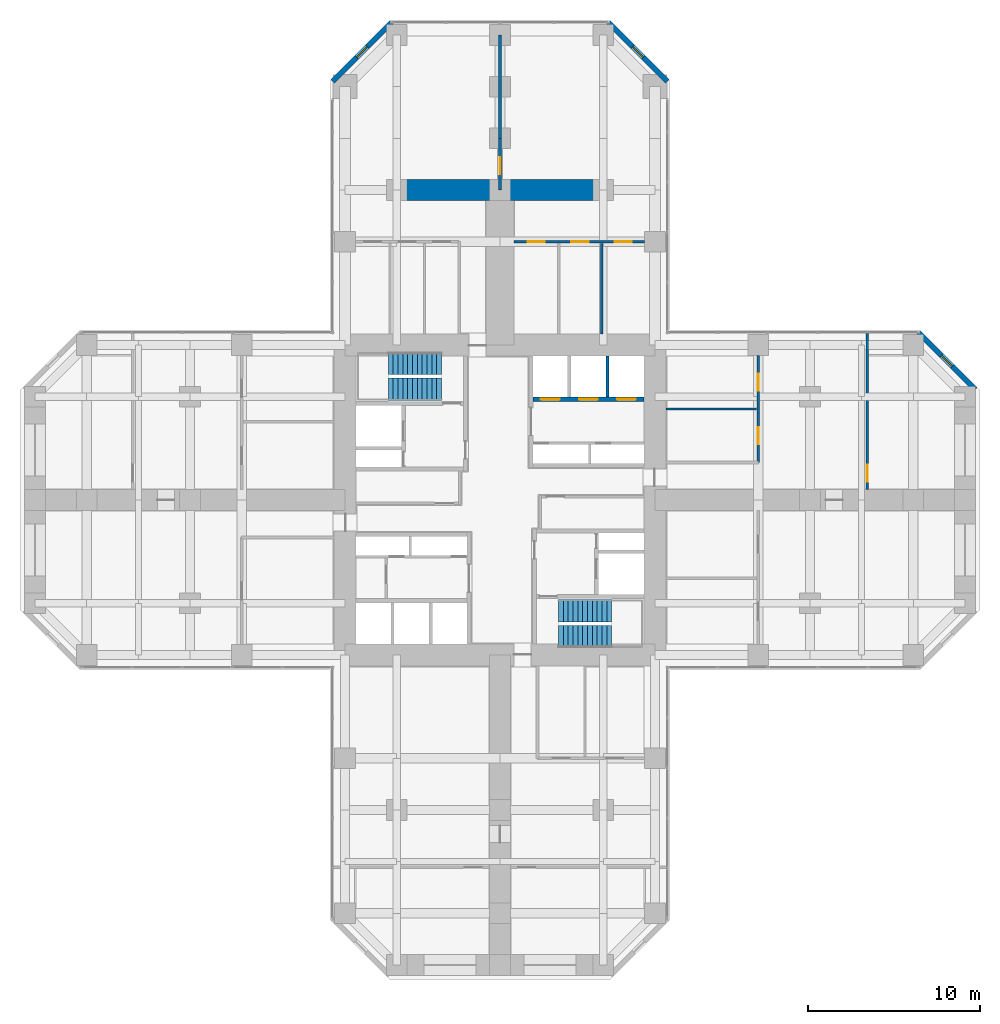
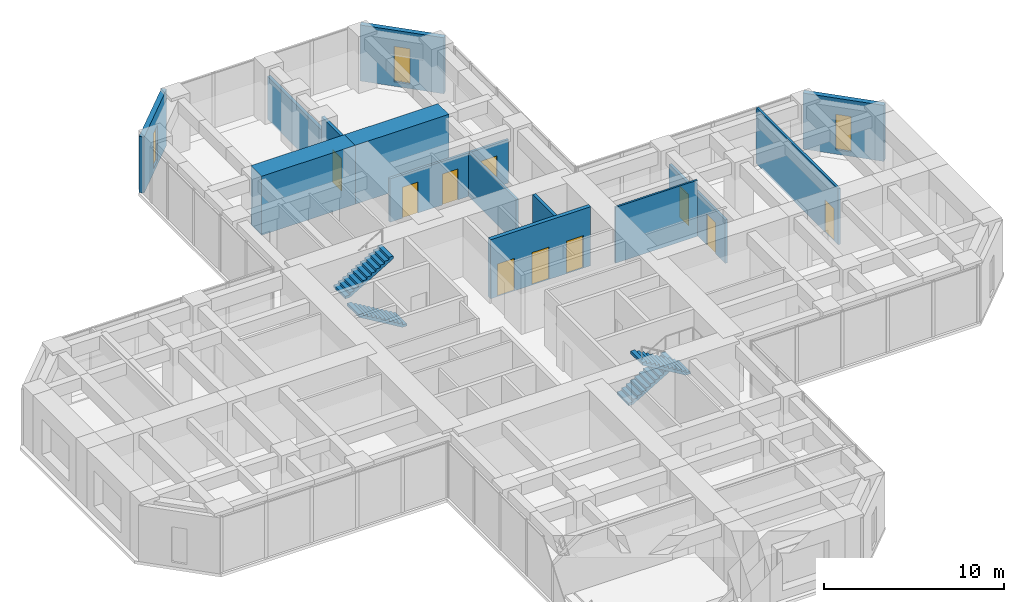
# One storey, part 11 of 12: 14 walls, 10 doors, 4 stair flights, 3 windows, 13 openings, 2 elements without a shape of their own.
"""IFC4 building model written with IfcOpenShell, lengths in metres."""

from ifc_helpers import new_model, si_unit, direction, frame, frame_2d, origin, place, context, subcontext, project, spatial, polyline, rectangle, hollow_rectangle, outline, extrude, material, layer, layer_set, constituent, constituent_set, type_object, element, fill, aggregate, save


model = new_model("IFC4")

# Units and contexts
model_context = context("Model", 3, precision=1e-05, world=origin(), true_north=direction((0.0, 1.0)))
body_context = subcontext(model_context, "Body", "Model", "MODEL_VIEW")
ifc_project = project(units=[si_unit("LENGTHUNIT", "METRE"), si_unit("AREAUNIT", "SQUARE_METRE"), si_unit("VOLUMEUNIT", "CUBIC_METRE"), si_unit("PLANEANGLEUNIT", "RADIAN"), si_unit("MASSUNIT", "GRAM", prefix="KILO")], contexts=[model_context])

# Site, building, storey
site_placement = place(None, origin())
site = spatial("IfcSite", under=ifc_project, at=site_placement, CompositionType="ELEMENT")
building_placement = place(site_placement, origin())
building = spatial("IfcBuilding", under=site, at=building_placement, Name="Torre Cruceta", CompositionType="ELEMENT")
storey_placement = place(building_placement, frame((0.0, 0.0, 79.5)))
storey = spatial("IfcBuildingStorey", under=building, at=storey_placement, Name="L19", CompositionType="ELEMENT", Elevation=79.5)

# Wall, openings, doors
ifc_material_1 = material(Name="Concrete G60 (fck 60 MPa)", Category="concrete")
ifc_layer_1 = layer(ifc_material_1, 0.25)
ifc_layer_set_1 = layer_set([ifc_layer_1], Name="Concrete G60 (fck 60 MPa)")
wall_type_1 = type_object("IfcWallType", Name="CORE INNER WALL 250 G60", PredefinedType="SHEAR", material=ifc_layer_set_1)
wall_1_placement = place(storey_placement, frame((1.925048828125, 5.85009765625, 0.0), z_axis=(0.0, 0.0, 1.0), x_axis=(1.0, 0.0, 0.0)))
wall_1 = element("IfcWall", 1, at=wall_1_placement, inside=storey, type_object=wall_type_1, Name="CW4 L19 NE-LV", PredefinedType="SHEAR", context=body_context, shape_type="SweptSolid", body=[
    extrude(rectangle(XDim=6.425048828125, YDim=0.25, at=frame_2d((3.21240234375, 0.0))), origin(), (0.0, 0.0, 1.0), 4.0),
])
opening_1_placement = place(wall_1_placement, frame((0.4541015625, 0.0, 0.0)))
opening_1 = element("IfcOpeningElement", 2, at=opening_1_placement, cuts=wall_1, Name="Opening LD1", PredefinedType="OPENING", context=body_context, shape_type="SweptSolid", body=[
    extrude(rectangle(XDim=1.10009765625, YDim=2.199951171875, at=frame_2d((0.550048828125, 1.10009765625))), frame((0.0, 0.135009765625, 0.0), z_axis=(0.0, -1.0, 0.0), x_axis=(1.0, 0.0, 0.0)), (0.0, 0.0, 1.0), 0.27001953125),
])
opening_2_placement = place(wall_1_placement, frame((2.66259765625, 0.0, 0.0)))
opening_2 = element("IfcOpeningElement", 3, at=opening_2_placement, cuts=wall_1, Name="Opening LD1", PredefinedType="OPENING", context=body_context, shape_type="SweptSolid", body=[
    extrude(rectangle(XDim=1.10009765625, YDim=2.199951171875, at=frame_2d((0.550048828125, 1.10009765625))), frame((0.0, 0.135009765625, 0.0), z_axis=(0.0, -1.0, 0.0), x_axis=(1.0, 0.0, 0.0)), (0.0, 0.0, 1.0), 0.27001953125),
])
opening_3_placement = place(wall_1_placement, frame((4.870849609375, 0.0, 0.0)))
opening_3 = element("IfcOpeningElement", 4, at=opening_3_placement, cuts=wall_1, Name="Opening LD1", PredefinedType="OPENING", context=body_context, shape_type="SweptSolid", body=[
    extrude(rectangle(XDim=1.10009765625, YDim=2.199951171875, at=frame_2d((0.550048828125, 1.10009765625))), frame((0.0, 0.135009765625, 0.0), z_axis=(0.0, -1.0, 0.0), x_axis=(1.0, 0.0, 0.0)), (0.0, 0.0, 1.0), 0.27001953125),
])
ifc_material_2 = material(Name="Stainless steel 1.4401", Category="steel")
door_type_1 = type_object("IfcDoorType", Name="LIFT LANDING DOOR 1100X2200", OperationType="DOUBLE_DOOR_SLIDING", PredefinedType="DOOR", material=ifc_material_2)
door_1_placement = place(opening_1_placement, origin())
door_1 = element("IfcDoor", 5, at=door_1_placement, inside=storey, type_object=door_type_1, Name="Lift landing door P1", OperationType="DOUBLE_DOOR_SLIDING", OverallHeight=2.199951171875, OverallWidth=1.10009765625, PredefinedType="DOOR", context=body_context, shape_type="SweptSolid", body=[
    extrude(rectangle(XDim=1.10009765625, YDim=2.199951171875, at=frame_2d((0.550048828125, 1.10009765625))), frame((0.0, 0.02490234375, 0.0), z_axis=(0.0, -1.0, 0.0), x_axis=(1.0, 0.0, 0.0)), (0.0, 0.0, 1.0), 0.050048828125),
])
fill(opening_1, door_1)
door_2_placement = place(opening_2_placement, origin())
door_2 = element("IfcDoor", 6, at=door_2_placement, inside=storey, type_object=door_type_1, Name="Lift landing door P2", OperationType="DOUBLE_DOOR_SLIDING", OverallHeight=2.199951171875, OverallWidth=1.10009765625, PredefinedType="DOOR", context=body_context, shape_type="SweptSolid", body=[
    extrude(rectangle(XDim=1.10009765625, YDim=2.199951171875, at=frame_2d((0.550048828125, 1.10009765625))), frame((0.0, 0.02490234375, 0.0), z_axis=(0.0, -1.0, 0.0), x_axis=(1.0, 0.0, 0.0)), (0.0, 0.0, 1.0), 0.050048828125),
])
fill(opening_2, door_2)
door_3_placement = place(opening_3_placement, origin())
door_3 = element("IfcDoor", 7, at=door_3_placement, inside=storey, type_object=door_type_1, Name="Lift landing door P3", OperationType="DOUBLE_DOOR_SLIDING", OverallHeight=2.199951171875, OverallWidth=1.10009765625, PredefinedType="DOOR", context=body_context, shape_type="SweptSolid", body=[
    extrude(rectangle(XDim=1.10009765625, YDim=2.199951171875, at=frame_2d((0.550048828125, 1.10009765625))), frame((0.0, 0.02490234375, 0.0), z_axis=(0.0, -1.0, 0.0), x_axis=(1.0, 0.0, 0.0)), (0.0, 0.0, 1.0), 0.050048828125),
])
fill(opening_3, door_3)

# Wall, opening, door
ifc_material_3 = material(Name="Concrete G25 (fck 25 MPa)", Category="concrete")
ifc_layer_2 = layer(ifc_material_3, 0.199951171875)
ifc_layer_set_2 = layer_set([ifc_layer_2], Name="Concrete G25 (fck 25 MPa)")
wall_type_2 = type_object("IfcWallType", Name="CORRIDOR WALL 200", PredefinedType="SOLIDWALL", material=ifc_layer_set_2)
wall_2_placement = place(storey_placement, frame((0.0, 18.0, 0.0), z_axis=(0.0, 0.0, 1.0), x_axis=(0.0, 1.0, 0.0)))
wall_2 = element("IfcWall", 8, at=wall_2_placement, inside=storey, type_object=wall_type_2, Name="PT3 spine line L19 N", PredefinedType="SOLIDWALL", context=body_context, shape_type="SweptSolid", body=[
    extrude(rectangle(XDim=3.0, YDim=0.199951171875, at=frame_2d((1.5, 0.0))), origin(), (0.0, 0.0, 1.0), 3.800048828125),
])
opening_4_placement = place(wall_2_placement, frame((0.89990234375, 0.0, 0.0)))
opening_4 = element("IfcOpeningElement", 9, at=opening_4_placement, cuts=wall_2, Name="Opening D14", PredefinedType="OPENING", context=body_context, shape_type="SweptSolid", body=[
    extrude(rectangle(XDim=1.0, YDim=2.199951171875, at=frame_2d((0.5, 1.10009765625))), frame((0.0, 0.10986328125, 0.0), z_axis=(0.0, -1.0, 0.0), x_axis=(1.0, 0.0, 0.0)), (0.0, 0.0, 1.0), 0.219970703125),
])
ifc_material_4 = material(Name="Steel DX51D", Category="steel")
ifc_constituent_1 = constituent(ifc_material_4, Name="Leaf and frame")
ifc_material_5 = material(Name="Polyester powder coating", Category="paint")
ifc_constituent_2 = constituent(ifc_material_5, Name="Finish")
ifc_material_6 = material(Name="Fire-resisting glass", Category="glass")
ifc_constituent_3 = constituent(ifc_material_6, Name="Vision panel")
ifc_constituent_set_1 = constituent_set(constituents=[ifc_constituent_1, ifc_constituent_2, ifc_constituent_3], Name="Steel fire door with vision panel")
door_type_2 = type_object("IfcDoorType", Name="FIRE DOOR VISION PANEL 1000X2200", OperationType="SINGLE_SWING_RIGHT", PredefinedType="DOOR", material=ifc_constituent_set_1)
door_4_placement = place(opening_4_placement, frame((1.0, 0.0, 0.0), z_axis=(0.0, 0.0, 1.0), x_axis=(-1.0, 0.0, 0.0)))
door_4 = element("IfcDoor", 10, at=door_4_placement, inside=storey, type_object=door_type_2, Name="D14 L19-N-SP1", OperationType="SINGLE_SWING_RIGHT", OverallHeight=2.199951171875, OverallWidth=1.0, PredefinedType="DOOR", context=body_context, shape_type="SweptSolid", body=[
    extrude(rectangle(XDim=1.0, YDim=2.199951171875, at=frame_2d((0.5, 1.10009765625))), frame((0.0, 0.025146484375, 0.0), z_axis=(0.0, -1.0, 0.0), x_axis=(1.0, 0.0, 0.0)), (0.0, 0.0, 1.0), 0.050048828125),
])
fill(opening_4, door_4)

# Walls
wall_3_placement = place(storey_placement, frame((0.0, 21.0, 0.0), z_axis=(0.0, 0.0, 1.0), x_axis=(0.0, 1.0, 0.0)))
element("IfcWall", 11, at=wall_3_placement, inside=storey, type_object=wall_type_2, Name="PT3 spine line L19 N 2", PredefinedType="SOLIDWALL", context=body_context, shape_type="SweptSolid", body=[
    extrude(rectangle(XDim=6.0, YDim=0.199951171875, at=frame_2d((3.0, 0.0))), origin(), (0.0, 0.0, 1.0), 2.89990234375),
])
ifc_material_7 = material(Name="Concrete G60 (fck 60 MPa)", Category="concrete")
ifc_layer_3 = layer(ifc_material_7, 1.199951171875)
ifc_layer_set_3 = layer_set([ifc_layer_3], Name="Concrete G60 (fck 60 MPa)")
wall_type_3 = type_object("IfcWallType", Name="CROSS WALL 1200 G60", PredefinedType="SHEAR", material=ifc_layer_set_3)
for number, where, z_axis, x_axis, name in (
    (12, (0.0, 18.0, 0.0), (0.0, 0.0, 1.0), (-1.0, 0.0, 0.0), "XW1 cross wall L19 N L"),
    (13, (0.0, 18.0, 0.0), (0.0, 0.0, 1.0), (1.0, 0.0, 0.0), "XW1 cross wall L19 N R"),
):
    element("IfcWall", number, at=place(storey_placement, frame(where, z_axis=z_axis, x_axis=x_axis)), inside=storey, type_object=wall_type_3, Name=name, PredefinedType="SHEAR", context=body_context, shape_type="SweptSolid", body=[
        extrude(rectangle(XDim=6.0, YDim=1.199951171875, at=frame_2d((3.0, 0.0))), origin(), (0.0, 0.0, 1.0), 4.0),
    ])

# Wall, opening, window
ifc_material_8 = material(Name="Concrete G30 (fck 30 MPa)", Category="concrete")
ifc_layer_4 = layer(ifc_material_8, 0.300048828125)
ifc_layer_set_4 = layer_set([ifc_layer_4], Name="Concrete G30 (fck 30 MPa)")
wall_type_4 = type_object("IfcWallType", Name="EXPOSED CONCRETE FACADE WALL 300", PredefinedType="SOLIDWALL", material=ifc_layer_set_4)
wall_4_placement = place(storey_placement, frame((27.60009765625, 6.418212890625, 0.0), z_axis=(0.0, 0.0, 1.0), x_axis=(-0.707106781187, 0.707106781187, 0.0)))
wall_4 = element("IfcWall", 14, at=wall_4_placement, inside=storey, type_object=wall_type_4, Name="EW1 facade wall L19 E chamfer 03", PredefinedType="SOLIDWALL", context=body_context, shape_type="SweptSolid", body=[
    extrude(rectangle(XDim=4.66943359375, YDim=0.300048828125, at=frame_2d((2.334716796875, 0.0))), origin(), (0.0, 0.0, 1.0), 3.800048828125),
])
opening_5_placement = place(wall_4_placement, frame((1.884765625, 0.0, 0.300048828125)))
opening_5 = element("IfcOpeningElement", 15, at=opening_5_placement, cuts=wall_4, Name="Opening WN5", PredefinedType="OPENING", context=body_context, shape_type="SweptSolid", body=[
    extrude(rectangle(XDim=0.89990234375, YDim=2.39990234375, at=frame_2d((0.449951171875, 1.199951171875))), frame((0.0, 0.159912109375, 0.0), z_axis=(0.0, -1.0, 0.0), x_axis=(1.0, 0.0, 0.0)), (0.0, 0.0, 1.0), 0.320068359375),
])
ifc_material_9 = material(Name="Aluminium window frame", Category="aluminium")
ifc_constituent_4 = constituent(ifc_material_9, Name="Frame")
ifc_material_10 = material(Name="Laminated insulating glass unit, low-iron clear", Category="glass")
ifc_constituent_5 = constituent(ifc_material_10, Name="Glazing")
ifc_constituent_set_2 = constituent_set(constituents=[ifc_constituent_4, ifc_constituent_5], Name="Aluminium window")
window_type = type_object("IfcWindowType", Name="CHAMFER SLOT WINDOW 900X2400", PartitioningType="SINGLE_PANEL", PredefinedType="WINDOW", material=ifc_constituent_set_2)
window_1_placement = place(opening_5_placement, origin())
window_1 = element("IfcWindow", 16, at=window_1_placement, inside=storey, type_object=window_type, Name="WN5 L19 E 1", OverallHeight=2.39990234375, OverallWidth=0.89990234375, PartitioningType="SINGLE_PANEL", PredefinedType="WINDOW", context=body_context, shape_type="SweptSolid", body=[
    extrude(hollow_rectangle(XDim=0.89990234375, YDim=2.39990234375, WallThickness=0.06005859375, at=frame_2d((0.449951171875, 1.199951171875))), frame((0.0, 0.030029296875, 0.0), z_axis=(0.0, -1.0, 0.0), x_axis=(1.0, 0.0, 0.0)), (0.0, 0.0, 1.0), 0.06005859375),
    extrude(rectangle(XDim=0.77880859375, YDim=2.27880859375, at=frame_2d((0.449951171875, 1.199951171875))), frame((0.0, 0.030029296875, 0.0), z_axis=(0.0, -1.0, 0.0), x_axis=(1.0, 0.0, 0.0)), (0.0, 0.0, 1.0), 0.06005859375),
])
fill(opening_5, window_1)

wall_5_placement = place(storey_placement, frame((9.719970703125, 24.29833984375, 0.0), z_axis=(0.0, 0.0, 1.0), x_axis=(-0.707106781187, 0.707106781187, 0.0)))
wall_5 = element("IfcWall", 17, at=wall_5_placement, inside=storey, type_object=wall_type_4, Name="EW1 facade wall L19 N chamfer 06", PredefinedType="SOLIDWALL", context=body_context, shape_type="SweptSolid", body=[
    extrude(rectangle(XDim=4.8388671875, YDim=0.300048828125, at=frame_2d((2.41943359375, 0.0))), origin(), (0.0, 0.0, 1.0), 3.800048828125),
])
opening_6_placement = place(wall_5_placement, frame((1.969482421875, 0.0, 0.300048828125)))
opening_6 = element("IfcOpeningElement", 18, at=opening_6_placement, cuts=wall_5, Name="Opening WN5", PredefinedType="OPENING", context=body_context, shape_type="SweptSolid", body=[
    extrude(rectangle(XDim=0.89990234375, YDim=2.39990234375, at=frame_2d((0.449951171875, 1.199951171875))), frame((0.0, 0.159912109375, 0.0), z_axis=(0.0, -1.0, 0.0), x_axis=(1.0, 0.0, 0.0)), (0.0, 0.0, 1.0), 0.320068359375),
])
window_2_placement = place(opening_6_placement, origin())
window_2 = element("IfcWindow", 19, at=window_2_placement, inside=storey, type_object=window_type, Name="WN5 L19 N 1", OverallHeight=2.39990234375, OverallWidth=0.89990234375, PartitioningType="SINGLE_PANEL", PredefinedType="WINDOW", context=body_context, shape_type="SweptSolid", body=[
    extrude(hollow_rectangle(XDim=0.89990234375, YDim=2.39990234375, WallThickness=0.06005859375, at=frame_2d((0.449951171875, 1.199951171875))), frame((0.0, 0.030029296875, 0.0), z_axis=(0.0, -1.0, 0.0), x_axis=(1.0, 0.0, 0.0)), (0.0, 0.0, 1.0), 0.06005859375),
    extrude(rectangle(XDim=0.77880859375, YDim=2.27880859375, at=frame_2d((0.449951171875, 1.199951171875))), frame((0.0, 0.030029296875, 0.0), z_axis=(0.0, -1.0, 0.0), x_axis=(1.0, 0.0, 0.0)), (0.0, 0.0, 1.0), 0.06005859375),
])
fill(opening_6, window_2)

wall_6_placement = place(storey_placement, frame((-6.29833984375, 27.719970703125, 0.0), z_axis=(0.0, 0.0, 1.0), x_axis=(-0.707106781187, -0.707106781187, 0.0)))
wall_6 = element("IfcWall", 20, at=wall_6_placement, inside=storey, type_object=wall_type_4, Name="EW1 facade wall L19 N chamfer 08", PredefinedType="SOLIDWALL", context=body_context, shape_type="SweptSolid", body=[
    extrude(rectangle(XDim=4.8388671875, YDim=0.300048828125, at=frame_2d((2.41943359375, 0.0))), origin(), (0.0, 0.0, 1.0), 3.800048828125),
])
opening_7_placement = place(wall_6_placement, frame((1.969482421875, 0.0, 0.300048828125)))
opening_7 = element("IfcOpeningElement", 21, at=opening_7_placement, cuts=wall_6, Name="Opening WN5", PredefinedType="OPENING", context=body_context, shape_type="SweptSolid", body=[
    extrude(rectangle(XDim=0.89990234375, YDim=2.39990234375, at=frame_2d((0.449951171875, 1.199951171875))), frame((0.0, 0.159912109375, 0.0), z_axis=(0.0, -1.0, 0.0), x_axis=(1.0, 0.0, 0.0)), (0.0, 0.0, 1.0), 0.320068359375),
])
window_3_placement = place(opening_7_placement, origin())
window_3 = element("IfcWindow", 22, at=window_3_placement, inside=storey, type_object=window_type, Name="WN5 L19 N 1", OverallHeight=2.39990234375, OverallWidth=0.89990234375, PartitioningType="SINGLE_PANEL", PredefinedType="WINDOW", context=body_context, shape_type="SweptSolid", body=[
    extrude(hollow_rectangle(XDim=0.89990234375, YDim=2.39990234375, WallThickness=0.06005859375, at=frame_2d((0.449951171875, 1.199951171875))), frame((0.0, 0.030029296875, 0.0), z_axis=(0.0, -1.0, 0.0), x_axis=(1.0, 0.0, 0.0)), (0.0, 0.0, 1.0), 0.06005859375),
    extrude(rectangle(XDim=0.77880859375, YDim=2.27880859375, at=frame_2d((0.449951171875, 1.199951171875))), frame((0.0, 0.030029296875, 0.0), z_axis=(0.0, -1.0, 0.0), x_axis=(1.0, 0.0, 0.0)), (0.0, 0.0, 1.0), 0.06005859375),
])
fill(opening_7, window_3)

# Wall
ifc_material_11 = material(Name="Concrete G35 (fck 35 MPa)", Category="concrete")
ifc_layer_5 = layer(ifc_material_11, 0.199951171875)
ifc_layer_set_5 = layer_set([ifc_layer_5], Name="Concrete G35 (fck 35 MPa)")
wall_type_5 = type_object("IfcWallType", Name="LIFT SHAFT WALL 200", PredefinedType="PARTITIONING", material=ifc_layer_set_5)
wall_7_placement = place(storey_placement, frame((6.24169921875, 5.97509765625, 0.0), z_axis=(0.0, 0.0, 1.0), x_axis=(0.0, 1.0, 0.0)))
element("IfcWall", 23, at=wall_7_placement, inside=storey, type_object=wall_type_5, Name="SW1 L19 NE-LS2", PredefinedType="PARTITIONING", context=body_context, shape_type="SweptSolid", body=[
    extrude(rectangle(XDim=2.375, YDim=0.199951171875, at=frame_2d((1.1875, 0.0))), origin(), (0.0, 0.0, 1.0), 4.0),
])

# Wall, openings, doors
ifc_material_12 = material(Name="Plasterboard on steel studs", Category="steel")
ifc_layer_6 = layer(ifc_material_12, 0.14990234375)
ifc_layer_set_6 = layer_set([ifc_layer_6], Name="Plasterboard on steel studs")
wall_type_6 = type_object("IfcWallType", Name="PARTITION 150", PredefinedType="PARTITIONING", material=ifc_layer_set_6)
wall_8_placement = place(storey_placement, frame((8.39990234375, 15.0, 0.0), z_axis=(0.0, 0.0, 1.0), x_axis=(-1.0, 0.0, 0.0)))
wall_8 = element("IfcWall", 24, at=wall_8_placement, inside=storey, type_object=wall_type_6, Name="PT1 L19-N-BFR", PredefinedType="PARTITIONING", context=body_context, shape_type="SweptSolid", body=[
    extrude(rectangle(XDim=7.599853515625, YDim=0.14990234375, at=frame_2d((3.7998046875, 0.0))), origin(), (0.0, 0.0, 1.0), 2.949951171875),
])
opening_8_placement = place(wall_8_placement, frame((0.75, 0.0, 0.0)))
opening_8 = element("IfcOpeningElement", 25, at=opening_8_placement, cuts=wall_8, Name="Opening D3", PredefinedType="OPENING", context=body_context, shape_type="SweptSolid", body=[
    extrude(rectangle(XDim=1.0, YDim=2.10009765625, at=frame_2d((0.5, 1.050048828125))), frame((0.0, 0.0849609375, 0.0), z_axis=(0.0, -1.0, 0.0), x_axis=(1.0, 0.0, 0.0)), (0.0, 0.0, 1.0), 0.169921875),
])
opening_9_placement = place(wall_8_placement, frame((3.25, 0.0, 0.0)))
opening_9 = element("IfcOpeningElement", 26, at=opening_9_placement, cuts=wall_8, Name="Opening D3", PredefinedType="OPENING", context=body_context, shape_type="SweptSolid", body=[
    extrude(rectangle(XDim=1.0, YDim=2.10009765625, at=frame_2d((0.5, 1.050048828125))), frame((0.0, 0.0849609375, 0.0), z_axis=(0.0, -1.0, 0.0), x_axis=(1.0, 0.0, 0.0)), (0.0, 0.0, 1.0), 0.169921875),
])
opening_10_placement = place(wall_8_placement, frame((5.800048828125, 0.0, 0.0)))
opening_10 = element("IfcOpeningElement", 27, at=opening_10_placement, cuts=wall_8, Name="Opening D3", PredefinedType="OPENING", context=body_context, shape_type="SweptSolid", body=[
    extrude(rectangle(XDim=1.0, YDim=2.10009765625, at=frame_2d((0.5, 1.050048828125))), frame((0.0, 0.0849609375, 0.0), z_axis=(0.0, -1.0, 0.0), x_axis=(1.0, 0.0, 0.0)), (0.0, 0.0, 1.0), 0.169921875),
])
ifc_material_13 = material(Name="Steel DX51D", Category="steel")
ifc_constituent_6 = constituent(ifc_material_13, Name="Leaf and frame")
ifc_material_14 = material(Name="Polyester powder coating", Category="paint")
ifc_constituent_7 = constituent(ifc_material_14, Name="Finish")
ifc_constituent_set_3 = constituent_set(constituents=[ifc_constituent_6, ifc_constituent_7], Name="Steel fire door")
door_type_3 = type_object("IfcDoorType", Name="FIRE DOOR 1000X2100", OperationType="SINGLE_SWING_LEFT", PredefinedType="DOOR", material=ifc_constituent_set_3)
door_5_placement = place(opening_8_placement, origin())
door_5 = element("IfcDoor", 28, at=door_5_placement, inside=storey, type_object=door_type_3, Name="D3 L19-N-BFR-D1", OperationType="SINGLE_SWING_RIGHT", OverallHeight=2.10009765625, OverallWidth=1.0, PredefinedType="DOOR", context=body_context, shape_type="SweptSolid", body=[
    extrude(rectangle(XDim=1.0, YDim=2.10009765625, at=frame_2d((0.5, 1.050048828125))), frame((0.0, 0.02490234375, 0.0), z_axis=(0.0, -1.0, 0.0), x_axis=(1.0, 0.0, 0.0)), (0.0, 0.0, 1.0), 0.050048828125),
])
fill(opening_8, door_5)
door_6_placement = place(opening_9_placement, origin())
door_6 = element("IfcDoor", 29, at=door_6_placement, inside=storey, type_object=door_type_3, Name="D3 L19-N-BFR-D2", OperationType="SINGLE_SWING_LEFT", OverallHeight=2.10009765625, OverallWidth=1.0, PredefinedType="DOOR", context=body_context, shape_type="SweptSolid", body=[
    extrude(rectangle(XDim=1.0, YDim=2.10009765625, at=frame_2d((0.5, 1.050048828125))), frame((0.0, 0.02490234375, 0.0), z_axis=(0.0, -1.0, 0.0), x_axis=(1.0, 0.0, 0.0)), (0.0, 0.0, 1.0), 0.050048828125),
])
fill(opening_9, door_6)
door_7_placement = place(opening_10_placement, origin())
door_7 = element("IfcDoor", 30, at=door_7_placement, inside=storey, type_object=door_type_3, Name="D3 L19-N-BFR-D3", OperationType="SINGLE_SWING_LEFT", OverallHeight=2.10009765625, OverallWidth=1.0, PredefinedType="DOOR", context=body_context, shape_type="SweptSolid", body=[
    extrude(rectangle(XDim=1.0, YDim=2.10009765625, at=frame_2d((0.5, 1.050048828125))), frame((0.0, 0.02490234375, 0.0), z_axis=(0.0, -1.0, 0.0), x_axis=(1.0, 0.0, 0.0)), (0.0, 0.0, 1.0), 0.050048828125),
])
fill(opening_10, door_7)

# Wall
wall_9_placement = place(storey_placement, frame((5.89990234375, 9.64990234375, 0.0), z_axis=(0.0, 0.0, 1.0), x_axis=(0.0, 1.0, 0.0)))
element("IfcWall", 31, at=wall_9_placement, inside=storey, type_object=wall_type_6, Name="PT1 L19-N-BDR2", PredefinedType="PARTITIONING", context=body_context, shape_type="SweptSolid", body=[
    extrude(rectangle(XDim=5.25, YDim=0.14990234375, at=frame_2d((2.625, 0.0))), origin(), (0.0, 0.0, 1.0), 3.0),
])

# Wall, openings, doors
wall_10_placement = place(storey_placement, frame((15.0, 2.175048828125, 0.0), z_axis=(0.0, 0.0, 1.0), x_axis=(0.0, 1.0, 0.0)))
wall_10 = element("IfcWall", 32, at=wall_10_placement, inside=storey, type_object=wall_type_6, Name="PT1 L19-E-BFL", PredefinedType="PARTITIONING", context=body_context, shape_type="SweptSolid", body=[
    extrude(rectangle(XDim=6.224853515625, YDim=0.14990234375, at=frame_2d((3.1123046875, 0.0))), origin(), (0.0, 0.0, 1.0), 2.949951171875),
])
opening_11_placement = place(wall_10_placement, frame((1.05615234375, 0.0, 0.0)))
opening_11 = element("IfcOpeningElement", 33, at=opening_11_placement, cuts=wall_10, Name="Opening D3", PredefinedType="OPENING", context=body_context, shape_type="SweptSolid", body=[
    extrude(rectangle(XDim=1.0, YDim=2.10009765625, at=frame_2d((0.5, 1.050048828125))), frame((0.0, 0.0849609375, 0.0), z_axis=(0.0, -1.0, 0.0), x_axis=(1.0, 0.0, 0.0)), (0.0, 0.0, 1.0), 0.169921875),
])
opening_12_placement = place(wall_10_placement, frame((4.168701171875, 0.0, 0.0)))
opening_12 = element("IfcOpeningElement", 34, at=opening_12_placement, cuts=wall_10, Name="Opening D3", PredefinedType="OPENING", context=body_context, shape_type="SweptSolid", body=[
    extrude(rectangle(XDim=1.0, YDim=2.10009765625, at=frame_2d((0.5, 1.050048828125))), frame((0.0, 0.0849609375, 0.0), z_axis=(0.0, -1.0, 0.0), x_axis=(1.0, 0.0, 0.0)), (0.0, 0.0, 1.0), 0.169921875),
])
door_8_placement = place(opening_11_placement, origin())
door_8 = element("IfcDoor", 35, at=door_8_placement, inside=storey, type_object=door_type_3, Name="D3 L19-E-BFL-D1", OperationType="SINGLE_SWING_LEFT", OverallHeight=2.10009765625, OverallWidth=1.0, PredefinedType="DOOR", context=body_context, shape_type="SweptSolid", body=[
    extrude(rectangle(XDim=1.0, YDim=2.10009765625, at=frame_2d((0.5, 1.050048828125))), frame((0.0, 0.02490234375, 0.0), z_axis=(0.0, -1.0, 0.0), x_axis=(1.0, 0.0, 0.0)), (0.0, 0.0, 1.0), 0.050048828125),
])
fill(opening_11, door_8)
door_9_placement = place(opening_12_placement, origin())
door_9 = element("IfcDoor", 36, at=door_9_placement, inside=storey, type_object=door_type_3, Name="D3 L19-E-BFL-D2", OperationType="SINGLE_SWING_LEFT", OverallHeight=2.10009765625, OverallWidth=1.0, PredefinedType="DOOR", context=body_context, shape_type="SweptSolid", body=[
    extrude(rectangle(XDim=1.0, YDim=2.10009765625, at=frame_2d((0.5, 1.050048828125))), frame((0.0, 0.02490234375, 0.0), z_axis=(0.0, -1.0, 0.0), x_axis=(1.0, 0.0, 0.0)), (0.0, 0.0, 1.0), 0.050048828125),
])
fill(opening_12, door_9)

# Wall, opening, door
wall_11_placement = place(storey_placement, frame((21.320068359375, 0.60009765625, 0.0), z_axis=(0.0, 0.0, 1.0), x_axis=(0.0, 1.0, 0.0)))
wall_11 = element("IfcWall", 37, at=wall_11_placement, inside=storey, type_object=wall_type_6, Name="PT1 L19-E-TWL", PredefinedType="PARTITIONING", context=body_context, shape_type="SweptSolid", body=[
    extrude(rectangle(XDim=9.079833984375, YDim=0.14990234375, at=frame_2d((4.5400390625, 0.0))), origin(), (0.0, 0.0, 1.0), 3.800048828125),
])
opening_13_placement = place(wall_11_placement, frame((0.449951171875, 0.0, 0.0)))
opening_13 = element("IfcOpeningElement", 38, at=opening_13_placement, cuts=wall_11, Name="Opening D14", PredefinedType="OPENING", context=body_context, shape_type="SweptSolid", body=[
    extrude(rectangle(XDim=1.0, YDim=2.199951171875, at=frame_2d((0.5, 1.10009765625))), frame((0.0, 0.0849609375, 0.0), z_axis=(0.0, -1.0, 0.0), x_axis=(1.0, 0.0, 0.0)), (0.0, 0.0, 1.0), 0.169921875),
])
door_10_placement = place(opening_13_placement, frame((1.0, 0.0, 0.0), z_axis=(0.0, 0.0, 1.0), x_axis=(-1.0, 0.0, 0.0)))
door_10 = element("IfcDoor", 39, at=door_10_placement, inside=storey, type_object=door_type_2, Name="D14 L19-E-TWL-D1", OperationType="SINGLE_SWING_RIGHT", OverallHeight=2.199951171875, OverallWidth=1.0, PredefinedType="DOOR", context=body_context, shape_type="SweptSolid", body=[
    extrude(rectangle(XDim=1.0, YDim=2.199951171875, at=frame_2d((0.5, 1.10009765625))), frame((0.0, 0.025146484375, 0.0), z_axis=(0.0, -1.0, 0.0), x_axis=(1.0, 0.0, 0.0)), (0.0, 0.0, 1.0), 0.050048828125),
])
fill(opening_13, door_10)

# Wall
ifc_material_15 = material(Name="Plasterboard on steel studs", Category="steel")
ifc_layer_7 = layer(ifc_material_15, 0.1201171875)
ifc_layer_set_7 = layer_set([ifc_layer_7], Name="Plasterboard on steel studs")
wall_type_7 = type_object("IfcWallType", Name="WC PARTITION 120", PredefinedType="PLUMBINGWALL", material=ifc_layer_set_7)
wall_12_placement = place(storey_placement, frame((9.64990234375, 5.28759765625, 0.0), z_axis=(0.0, 0.0, 1.0), x_axis=(1.0, 0.0, 0.0)))
element("IfcWall", 40, at=wall_12_placement, inside=storey, type_object=wall_type_7, Name="PT5 L19-E-BDL1", PredefinedType="PLUMBINGWALL", context=body_context, shape_type="SweptSolid", body=[
    extrude(rectangle(XDim=5.25, YDim=0.1201171875, at=frame_2d((2.625, 0.0))), origin(), (0.0, 0.0, 1.0), 3.800048828125),
])

# Stair, stair flights
ifc_material_16 = material(Name="Concrete G30 (fck 30 MPa)", Category="concrete")
stair_type = type_object("IfcStairType", Name="STAIR HALF-TURN 1300", PredefinedType="HALF_TURN_STAIR", material=ifc_material_16)
stair_1_placement = place(storey_placement, origin())
stair_1 = element("IfcStair", 41, at=stair_1_placement, inside=storey, type_object=stair_type, Name="Stair ST1 L19", PredefinedType="HALF_TURN_STAIR")
ifc_material_17 = material(Name="Concrete G30 (fck 30 MPa)", Category="concrete")
stair_flight_type = type_object("IfcStairFlightType", Name="STAIR FLIGHT 1300", PredefinedType="STRAIGHT", material=ifc_material_17)
stair_flight_1_placement = place(storey_placement, frame((-3.39990234375, 6.425048828125, 0.0), z_axis=(0.0, 0.0, 1.0), x_axis=(-1.0, 0.0, 0.0)))
stair_flight_1 = element("IfcStairFlight", 42, at=stair_flight_1_placement, type_object=stair_flight_type, Name="ST1 flight 1", NumberOfRisers=12, NumberOfTreads=11, PredefinedType="STRAIGHT", RiserHeight=0.166666667, TreadLength=0.28, context=body_context, shape_type="SweptSolid", body=[
    extrude(outline(polyline([(0.0, 0.0), (0.0, 0.166748046875), (0.280029296875, 0.166748046875), (0.280029296875, 0.333251953125), (0.56005859375, 0.333251953125), (0.56005859375, 0.5), (0.840087890625, 0.5), (0.840087890625, 0.666748046875), (1.1201171875, 0.666748046875), (1.1201171875, 0.833251953125), (1.39990234375, 0.833251953125), (1.39990234375, 1.0), (1.679931640625, 1.0), (1.679931640625, 1.166748046875), (1.9599609375, 1.166748046875), (1.9599609375, 1.333251953125), (2.239990234375, 1.333251953125), (2.239990234375, 1.5), (2.52001953125, 1.5), (2.52001953125, 1.666748046875), (2.800048828125, 1.666748046875), (2.800048828125, 1.833251953125), (3.080078125, 1.833251953125), (3.080078125, 2.0), (3.080078125, 1.658935546875), (0.29296875, 0.0), (0.0, 0.0)])), frame((0.0, 0.64990234375, 0.0), z_axis=(0.0, -1.0, 0.0), x_axis=(1.0, 0.0, 0.0)), (0.0, 0.0, 1.0), 1.300048828125),
])
stair_flight_2_placement = place(storey_placement, frame((-6.47998046875, 7.925048828125, 2.0), z_axis=(0.0, 0.0, 1.0), x_axis=(1.0, 0.0, 0.0)))
stair_flight_2 = element("IfcStairFlight", 43, at=stair_flight_2_placement, type_object=stair_flight_type, Name="ST1 flight 2", NumberOfRisers=12, NumberOfTreads=11, PredefinedType="STRAIGHT", RiserHeight=0.166666667, TreadLength=0.28, context=body_context, shape_type="SweptSolid", body=[
    extrude(outline(polyline([(0.0, 0.0), (0.0, 0.166748046875), (0.280029296875, 0.166748046875), (0.280029296875, 0.333251953125), (0.56005859375, 0.333251953125), (0.56005859375, 0.5), (0.840087890625, 0.5), (0.840087890625, 0.666748046875), (1.1201171875, 0.666748046875), (1.1201171875, 0.833251953125), (1.39990234375, 0.833251953125), (1.39990234375, 1.0), (1.679931640625, 1.0), (1.679931640625, 1.166748046875), (1.9599609375, 1.166748046875), (1.9599609375, 1.333251953125), (2.239990234375, 1.333251953125), (2.239990234375, 1.5), (2.52001953125, 1.5), (2.52001953125, 1.666748046875), (2.800048828125, 1.666748046875), (2.800048828125, 1.833251953125), (3.080078125, 1.833251953125), (3.080078125, 2.0), (3.080078125, 1.658935546875), (0.29296875, 0.0), (0.0, 0.0)])), frame((0.0, 0.64990234375, 0.0), z_axis=(0.0, -1.0, 0.0), x_axis=(1.0, 0.0, 0.0)), (0.0, 0.0, 1.0), 1.300048828125),
])
aggregate(stair_1, [stair_flight_1, stair_flight_2])

stair_2_placement = place(storey_placement, origin())
stair_2 = element("IfcStair", 44, at=stair_2_placement, inside=storey, type_object=stair_type, Name="Stair ST2 L19", PredefinedType="HALF_TURN_STAIR")
stair_flight_3_placement = place(storey_placement, frame((3.39990234375, -6.425048828125, 0.0), z_axis=(0.0, 0.0, 1.0), x_axis=(1.0, 0.0, 0.0)))
stair_flight_3 = element("IfcStairFlight", 45, at=stair_flight_3_placement, type_object=stair_flight_type, Name="ST2 flight 1", NumberOfRisers=12, NumberOfTreads=11, PredefinedType="STRAIGHT", RiserHeight=0.166666667, TreadLength=0.28, context=body_context, shape_type="SweptSolid", body=[
    extrude(outline(polyline([(0.0, 0.0), (0.0, 0.166748046875), (0.280029296875, 0.166748046875), (0.280029296875, 0.333251953125), (0.56005859375, 0.333251953125), (0.56005859375, 0.5), (0.840087890625, 0.5), (0.840087890625, 0.666748046875), (1.1201171875, 0.666748046875), (1.1201171875, 0.833251953125), (1.39990234375, 0.833251953125), (1.39990234375, 1.0), (1.679931640625, 1.0), (1.679931640625, 1.166748046875), (1.9599609375, 1.166748046875), (1.9599609375, 1.333251953125), (2.239990234375, 1.333251953125), (2.239990234375, 1.5), (2.52001953125, 1.5), (2.52001953125, 1.666748046875), (2.800048828125, 1.666748046875), (2.800048828125, 1.833251953125), (3.080078125, 1.833251953125), (3.080078125, 2.0), (3.080078125, 1.658935546875), (0.29296875, 0.0), (0.0, 0.0)])), frame((0.0, 0.64990234375, 0.0), z_axis=(0.0, -1.0, 0.0), x_axis=(1.0, 0.0, 0.0)), (0.0, 0.0, 1.0), 1.300048828125),
])
stair_flight_4_placement = place(storey_placement, frame((6.47998046875, -7.925048828125, 2.0), z_axis=(0.0, 0.0, 1.0), x_axis=(-1.0, 0.0, 0.0)))
stair_flight_4 = element("IfcStairFlight", 46, at=stair_flight_4_placement, type_object=stair_flight_type, Name="ST2 flight 2", NumberOfRisers=12, NumberOfTreads=11, PredefinedType="STRAIGHT", RiserHeight=0.166666667, TreadLength=0.28, context=body_context, shape_type="SweptSolid", body=[
    extrude(outline(polyline([(0.0, 0.0), (0.0, 0.166748046875), (0.280029296875, 0.166748046875), (0.280029296875, 0.333251953125), (0.56005859375, 0.333251953125), (0.56005859375, 0.5), (0.840087890625, 0.5), (0.840087890625, 0.666748046875), (1.1201171875, 0.666748046875), (1.1201171875, 0.833251953125), (1.39990234375, 0.833251953125), (1.39990234375, 1.0), (1.679931640625, 1.0), (1.679931640625, 1.166748046875), (1.9599609375, 1.166748046875), (1.9599609375, 1.333251953125), (2.239990234375, 1.333251953125), (2.239990234375, 1.5), (2.52001953125, 1.5), (2.52001953125, 1.666748046875), (2.800048828125, 1.666748046875), (2.800048828125, 1.833251953125), (3.080078125, 1.833251953125), (3.080078125, 2.0), (3.080078125, 1.658935546875), (0.29296875, 0.0), (0.0, 0.0)])), frame((0.0, 0.64990234375, 0.0), z_axis=(0.0, -1.0, 0.0), x_axis=(1.0, 0.0, 0.0)), (0.0, 0.0, 1.0), 1.300048828125),
])
aggregate(stair_2, [stair_flight_3, stair_flight_4])

save(model, "model.ifc")
